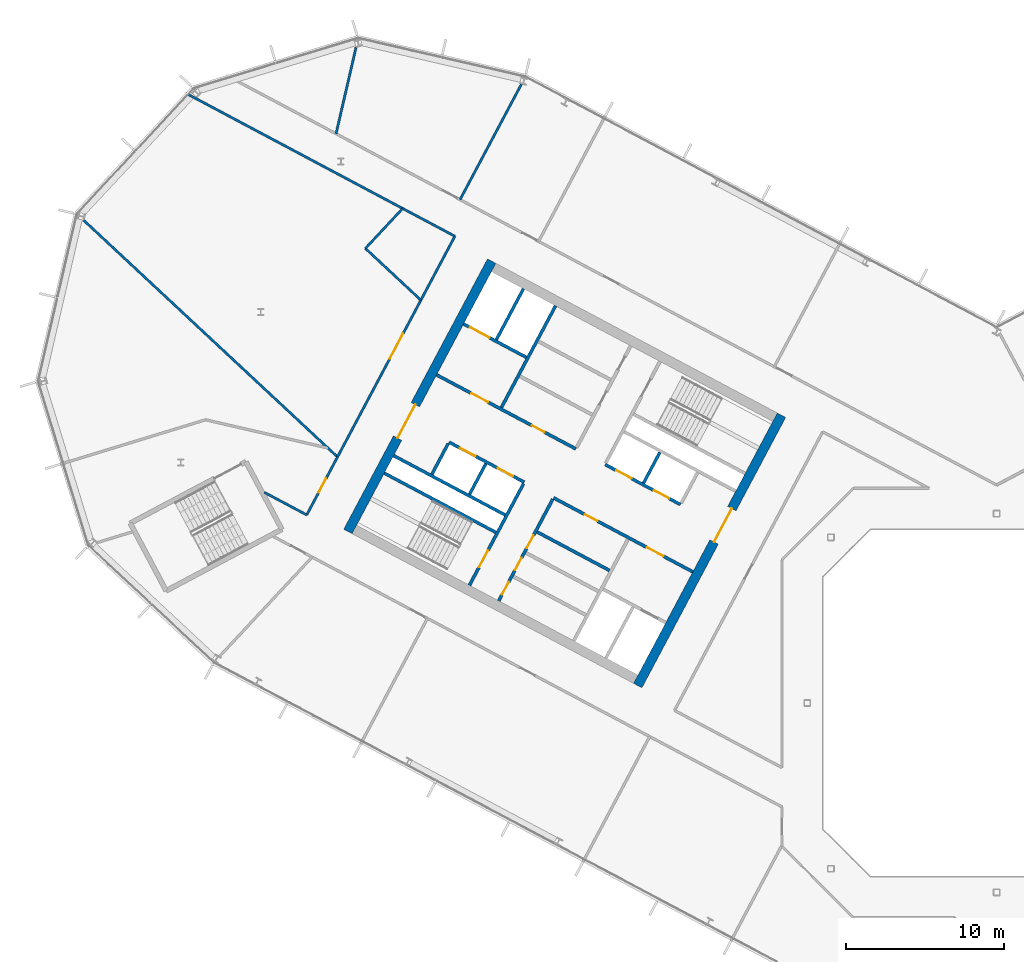
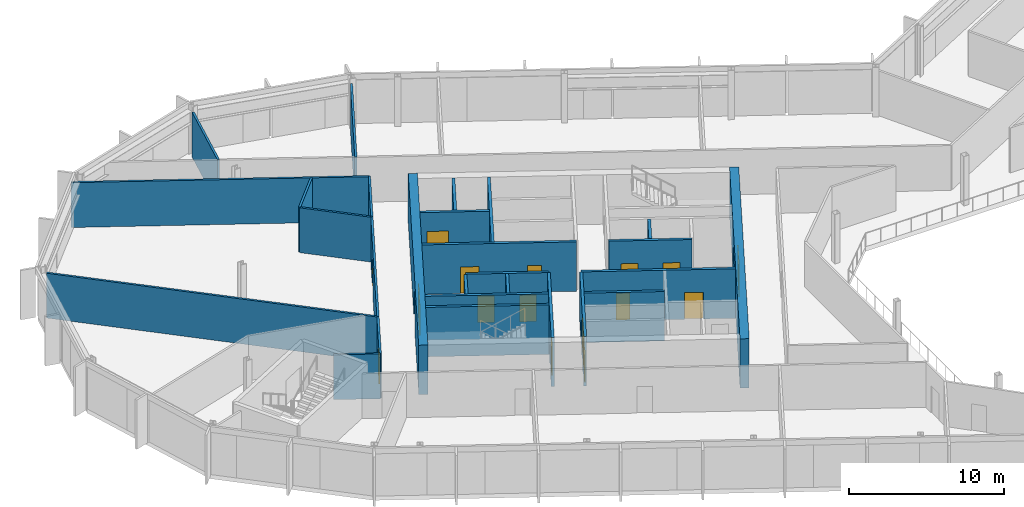
# One storey, part 13 of 26: 26 walls, 17 doors, 17 openings.
"""IFC4 building model written with IfcOpenShell, lengths in metres."""

from ifc_helpers import new_model, si_unit, direction, frame, frame_2d, origin, place, context, subcontext, project, spatial, rectangle, extrude, material, layer, layer_set, type_object, element, fill, save


model = new_model("IFC4")

# Units and contexts
model_context = context("Model", 3, precision=1e-05, world=origin(), true_north=direction((0.0, 1.0)))
body_context = subcontext(model_context, "Body", "Model", "MODEL_VIEW")
ifc_project = project(units=[si_unit("LENGTHUNIT", "METRE"), si_unit("AREAUNIT", "SQUARE_METRE"), si_unit("VOLUMEUNIT", "CUBIC_METRE"), si_unit("PLANEANGLEUNIT", "RADIAN"), si_unit("MASSUNIT", "GRAM", prefix="KILO")], contexts=[model_context])

# Site, building, storey
site_placement = place(None, origin())
site = spatial("IfcSite", under=ifc_project, at=site_placement, CompositionType="ELEMENT")
building_placement = place(site_placement, origin())
building = spatial("IfcBuilding", under=site, at=building_placement, Name="Cormorant Relay Tower", CompositionType="ELEMENT")
storey_placement = place(building_placement, frame((0.0, 0.0, 228.60009765625)))
storey = spatial("IfcBuildingStorey", under=building, at=storey_placement, Name="L50", CompositionType="ELEMENT", Elevation=228.60009765625)

# Walls
ifc_material_1 = material(Name="Concrete 40 MPa", Category="concrete")
ifc_layer_1 = layer(ifc_material_1, 0.199951171875)
ifc_layer_set_1 = layer_set([ifc_layer_1], Name="Core internal wall 200")
wall_type_1 = type_object("IfcWallType", Name="Core internal wall 200", PredefinedType="SOLIDWALL", material=ifc_layer_set_1)
wall_1_placement = place(storey_placement, frame((-21.34375, 15.87890625, 0.0), z_axis=(0.0, 0.0, 1.0), x_axis=(-0.4694473164, -0.882960484464, 0.0)))
element("IfcWall", 1, at=wall_1_placement, inside=storey, type_object=wall_type_1, Name="L50 core A shaft and room wall", PredefinedType="SOLIDWALL", context=body_context, shape_type="SweptSolid", body=[
    extrude(rectangle(XDim=2.199951171875, YDim=0.199951171875, at=frame_2d((1.10009765625, 0.0))), origin(), (0.0, 0.0, 1.0), 3.89990234375),
])
wall_2_placement = place(storey_placement, frame((-32.3662109375, 15.1708984375, 0.0), z_axis=(0.0, 0.0, 1.0), x_axis=(-0.469487830541, -0.882938942948, 0.0)))
element("IfcWall", 2, at=wall_2_placement, inside=storey, type_object=wall_type_1, Name="L50 core A shaft and room wall", PredefinedType="SOLIDWALL", context=body_context, shape_type="SweptSolid", body=[
    extrude(rectangle(XDim=2.2001953125, YDim=0.199951171875, at=frame_2d((1.10009765625, 0.0))), origin(), (0.0, 0.0, 1.0), 3.89990234375),
])

# Wall, openings, doors
ifc_material_2 = material(Name="Concrete 50 MPa", Category="concrete")
ifc_layer_2 = layer(ifc_material_2, 0.199951171875)
ifc_layer_set_2 = layer_set([ifc_layer_2], Name="Core shaft wall 200")
wall_type_2 = type_object("IfcWallType", Name="Core shaft wall 200", PredefinedType="SHEAR", material=ifc_layer_set_2)
wall_3_placement = place(storey_placement, frame((-28.128173828125, 12.91748046875, 0.0), z_axis=(0.0, 0.0, 1.0), x_axis=(-0.469454336211, -0.882956752176, 0.0)))
wall_3 = element("IfcWall", 3, at=wall_3_placement, inside=storey, type_object=wall_type_2, Name="L50 core A shaft wall", PredefinedType="SHEAR", context=body_context, shape_type="SweptSolid", body=[
    extrude(rectangle(XDim=7.300048828125, YDim=0.199951171875, at=frame_2d((3.64990234375, 0.0))), origin(), (0.0, 0.0, 1.0), 3.89990234375),
])
opening_1_placement = place(wall_3_placement, frame((2.60009765625, 0.0, 0.0)))
opening_1 = element("IfcOpeningElement", 4, at=opening_1_placement, cuts=wall_3, Name="Opening CDD-278", PredefinedType="OPENING", context=body_context, shape_type="SweptSolid", body=[
    extrude(rectangle(XDim=0.89990234375, YDim=2.10009765625, at=frame_2d((0.449951171875, 1.050048828125))), frame((0.0, 0.10986328125, 0.0), z_axis=(0.0, -1.0, 0.0), x_axis=(1.0, 0.0, 0.0)), (0.0, 0.0, 1.0), 0.219970703125),
])
opening_2_placement = place(wall_3_placement, frame((4.199951171875, 0.0, 0.0)))
opening_2 = element("IfcOpeningElement", 5, at=opening_2_placement, cuts=wall_3, Name="Opening CDD-279", PredefinedType="OPENING", context=body_context, shape_type="SweptSolid", body=[
    extrude(rectangle(XDim=0.89990234375, YDim=2.10009765625, at=frame_2d((0.449951171875, 1.050048828125))), frame((0.0, 0.10986328125, 0.0), z_axis=(0.0, -1.0, 0.0), x_axis=(1.0, 0.0, 0.0)), (0.0, 0.0, 1.0), 0.219970703125),
])
opening_3_placement = place(wall_3_placement, frame((5.949951171875, 0.0, 0.0)))
opening_3 = element("IfcOpeningElement", 6, at=opening_3_placement, cuts=wall_3, Name="Opening CDD-280", PredefinedType="OPENING", context=body_context, shape_type="SweptSolid", body=[
    extrude(rectangle(XDim=0.89990234375, YDim=2.10009765625, at=frame_2d((0.449951171875, 1.050048828125))), frame((0.0, 0.10986328125, 0.0), z_axis=(0.0, -1.0, 0.0), x_axis=(1.0, 0.0, 0.0)), (0.0, 0.0, 1.0), 0.219970703125),
])
ifc_material_3 = material(Name="Steel fire door", Category="steel")
door_type_1 = type_object("IfcDoorType", Name="Core room door 900x2100", OperationType="SINGLE_SWING_LEFT", PredefinedType="DOOR", material=ifc_material_3)
door_1_placement = place(opening_1_placement, origin())
door_1 = element("IfcDoor", 7, at=door_1_placement, inside=storey, type_object=door_type_1, Name="Core room door 900x2100", OperationType="SINGLE_SWING_LEFT", OverallHeight=2.10009765625, OverallWidth=0.89990234375, PredefinedType="DOOR", context=body_context, shape_type="SweptSolid", body=[
    extrude(rectangle(XDim=0.89990234375, YDim=2.10009765625, at=frame_2d((0.449951171875, 1.050048828125))), frame((0.0, 0.02490234375, 0.0), z_axis=(0.0, -1.0, 0.0), x_axis=(1.0, 0.0, 0.0)), (0.0, 0.0, 1.0), 0.050048828125),
])
fill(opening_1, door_1)
door_2_placement = place(opening_2_placement, origin())
door_2 = element("IfcDoor", 8, at=door_2_placement, inside=storey, type_object=door_type_1, Name="Core room door 900x2100", OperationType="SINGLE_SWING_LEFT", OverallHeight=2.10009765625, OverallWidth=0.89990234375, PredefinedType="DOOR", context=body_context, shape_type="SweptSolid", body=[
    extrude(rectangle(XDim=0.89990234375, YDim=2.10009765625, at=frame_2d((0.449951171875, 1.050048828125))), frame((0.0, 0.02490234375, 0.0), z_axis=(0.0, -1.0, 0.0), x_axis=(1.0, 0.0, 0.0)), (0.0, 0.0, 1.0), 0.050048828125),
])
fill(opening_2, door_2)
door_3_placement = place(opening_3_placement, origin())
door_3 = element("IfcDoor", 9, at=door_3_placement, inside=storey, type_object=door_type_1, Name="Core room door 900x2100", OperationType="SINGLE_SWING_LEFT", OverallHeight=2.10009765625, OverallWidth=0.89990234375, PredefinedType="DOOR", context=body_context, shape_type="SweptSolid", body=[
    extrude(rectangle(XDim=0.89990234375, YDim=2.10009765625, at=frame_2d((0.449951171875, 1.050048828125))), frame((0.0, 0.02490234375, 0.0), z_axis=(0.0, -1.0, 0.0), x_axis=(1.0, 0.0, 0.0)), (0.0, 0.0, 1.0), 0.050048828125),
])
fill(opening_3, door_3)

# Wall, opening, door
wall_4_placement = place(storey_placement, frame((-29.982421875, 13.9033203125, 0.0), z_axis=(0.0, 0.0, 1.0), x_axis=(-0.469454336211, -0.882956752176, 0.0)))
wall_4 = element("IfcWall", 10, at=wall_4_placement, inside=storey, type_object=wall_type_2, Name="L50 core A shaft wall", PredefinedType="SHEAR", context=body_context, shape_type="SweptSolid", body=[
    extrude(rectangle(XDim=7.300048828125, YDim=0.199951171875, at=frame_2d((3.64990234375, 0.0))), origin(), (0.0, 0.0, 1.0), 3.89990234375),
])
opening_4_placement = place(wall_4_placement, frame((4.800048828125, 0.0, 0.0)))
opening_4 = element("IfcOpeningElement", 11, at=opening_4_placement, cuts=wall_4, Name="Opening CDB-039", PredefinedType="OPENING", context=body_context, shape_type="SweptSolid", body=[
    extrude(rectangle(XDim=1.199951171875, YDim=2.10009765625, at=frame_2d((0.60009765625, 1.050048828125))), frame((0.0, 0.10986328125, 0.0), z_axis=(0.0, -1.0, 0.0), x_axis=(1.0, 0.0, 0.0)), (0.0, 0.0, 1.0), 0.219970703125),
])
ifc_material_4 = material(Name="Steel fire door", Category="steel")
door_type_2 = type_object("IfcDoorType", Name="Core stair door 1200x2100", OperationType="SINGLE_SWING_LEFT", PredefinedType="DOOR", material=ifc_material_4)
door_4_placement = place(opening_4_placement, frame((1.199951171875, 0.0, 0.0), z_axis=(0.0, 0.0, 1.0), x_axis=(-1.0, 0.0, 0.0)))
door_4 = element("IfcDoor", 12, at=door_4_placement, inside=storey, type_object=door_type_2, Name="Core stair door 1200x2100", OperationType="SINGLE_SWING_RIGHT", OverallHeight=2.10009765625, OverallWidth=1.199951171875, PredefinedType="DOOR", context=body_context, shape_type="SweptSolid", body=[
    extrude(rectangle(XDim=1.199951171875, YDim=2.10009765625, at=frame_2d((0.60009765625, 1.050048828125))), frame((0.0, 0.02490234375, 0.0), z_axis=(0.0, -1.0, 0.0), x_axis=(1.0, 0.0, 0.0)), (0.0, 0.0, 1.0), 0.050048828125),
])
fill(opening_4, door_4)

# Walls
wall_5_placement = place(storey_placement, frame((-27.955322265625, 25.170654296875, 0.0), z_axis=(0.0, 0.0, 1.0), x_axis=(-0.469480409012, -0.88294288918, 0.0)))
element("IfcWall", 13, at=wall_5_placement, inside=storey, type_object=wall_type_2, Name="L50 core A shaft wall", PredefinedType="SHEAR", context=body_context, shape_type="SweptSolid", body=[
    extrude(rectangle(XDim=7.300048828125, YDim=0.199951171875, at=frame_2d((3.64990234375, 0.0))), origin(), (0.0, 0.0, 1.0), 3.89990234375),
])
wall_6_placement = place(storey_placement, frame((-34.750244140625, 16.4384765625, 0.0), z_axis=(0.0, 0.0, 1.0), x_axis=(-0.469401318492, -0.882984938828, 0.0)))
element("IfcWall", 14, at=wall_6_placement, inside=storey, type_object=wall_type_2, Name="L50 core A shaft wall", PredefinedType="SHEAR", context=body_context, shape_type="SweptSolid", body=[
    extrude(rectangle(XDim=2.199951171875, YDim=0.199951171875, at=frame_2d((1.10009765625, 0.0))), origin(), (0.0, 0.0, 1.0), 3.89990234375),
])
wall_7_placement = place(storey_placement, frame((-29.986083984375, 26.250244140625, 0.0), z_axis=(0.0, 0.0, 1.0), x_axis=(-0.469494272526, -0.882935517501, 0.0)))
element("IfcWall", 15, at=wall_7_placement, inside=storey, type_object=wall_type_2, Name="L50 core A shaft wall", PredefinedType="SHEAR", context=body_context, shape_type="SweptSolid", body=[
    extrude(rectangle(XDim=3.64990234375, YDim=0.199951171875, at=frame_2d((1.824951171875, 0.0))), origin(), (0.0, 0.0, 1.0), 3.89990234375),
])

# Wall, opening, door
wall_8_placement = place(storey_placement, frame((-29.80419921875, 21.906494140625, 0.0), z_axis=(0.0, 0.0, 1.0), x_axis=(-0.882960433586, 0.469447412093, 0.0)))
wall_8 = element("IfcWall", 16, at=wall_8_placement, inside=storey, type_object=wall_type_2, Name="L50 core A shaft wall", PredefinedType="SHEAR", context=body_context, shape_type="SweptSolid", body=[
    extrude(rectangle(XDim=4.5, YDim=0.199951171875, at=frame_2d((2.25, 0.0))), origin(), (0.0, 0.0, 1.0), 3.89990234375),
])
opening_5_placement = place(wall_8_placement, frame((2.64990234375, 0.0, 0.0)))
opening_5 = element("IfcOpeningElement", 17, at=opening_5_placement, cuts=wall_8, Name="Opening LD3-015", PredefinedType="OPENING", context=body_context, shape_type="SweptSolid", body=[
    extrude(rectangle(XDim=1.39990234375, YDim=2.39990234375, at=frame_2d((0.699951171875, 1.199951171875))), frame((0.0, 0.10986328125, 0.0), z_axis=(0.0, -1.0, 0.0), x_axis=(1.0, 0.0, 0.0)), (0.0, 0.0, 1.0), 0.219970703125),
])
ifc_material_5 = material(Name="Stainless steel 316", Category="steel")
door_type_3 = type_object("IfcDoorType", Name="Lift landing door 1400x2400", OperationType="DOUBLE_DOOR_SLIDING", PredefinedType="DOOR", material=ifc_material_5)
door_5_placement = place(opening_5_placement, origin())
door_5 = element("IfcDoor", 18, at=door_5_placement, inside=storey, type_object=door_type_3, Name="SV1 landing door", OperationType="DOUBLE_DOOR_SLIDING", OverallHeight=2.39990234375, OverallWidth=1.39990234375, PredefinedType="DOOR", context=body_context, shape_type="SweptSolid", body=[
    extrude(rectangle(XDim=1.39990234375, YDim=2.39990234375, at=frame_2d((0.699951171875, 1.199951171875))), frame((0.0, 0.02490234375, 0.0), z_axis=(0.0, -1.0, 0.0), x_axis=(1.0, 0.0, 0.0)), (0.0, 0.0, 1.0), 0.050048828125),
])
fill(opening_5, door_5)

# Wall, openings, doors
wall_9_placement = place(storey_placement, frame((-20.03955078125, 12.58056640625, 0.0), z_axis=(0.0, 0.0, 1.0), x_axis=(-0.882942972946, 0.469480251476, 0.0)))
wall_9 = element("IfcWall", 19, at=wall_9_placement, inside=storey, type_object=wall_type_2, Name="L50 core A shaft wall", PredefinedType="SHEAR", context=body_context, shape_type="SweptSolid", body=[
    extrude(rectangle(XDim=5.39990234375, YDim=0.199951171875, at=frame_2d((2.699951171875, 0.0))), origin(), (0.0, 0.0, 1.0), 3.89990234375),
])
opening_6_placement = place(wall_9_placement, frame((0.800048828125, 0.0, 0.0)))
opening_6 = element("IfcOpeningElement", 20, at=opening_6_placement, cuts=wall_9, Name="Opening LD1-061", PredefinedType="OPENING", context=body_context, shape_type="SweptSolid", body=[
    extrude(rectangle(XDim=1.10009765625, YDim=2.10009765625, at=frame_2d((0.550048828125, 1.050048828125))), frame((0.0, 0.10986328125, 0.0), z_axis=(0.0, -1.0, 0.0), x_axis=(1.0, 0.0, 0.0)), (0.0, 0.0, 1.0), 0.219970703125),
])
opening_7_placement = place(wall_9_placement, frame((3.5, 0.0, 0.0)))
opening_7 = element("IfcOpeningElement", 21, at=opening_7_placement, cuts=wall_9, Name="Opening LD1-062", PredefinedType="OPENING", context=body_context, shape_type="SweptSolid", body=[
    extrude(rectangle(XDim=1.10009765625, YDim=2.10009765625, at=frame_2d((0.550048828125, 1.050048828125))), frame((0.0, 0.10986328125, 0.0), z_axis=(0.0, -1.0, 0.0), x_axis=(1.0, 0.0, 0.0)), (0.0, 0.0, 1.0), 0.219970703125),
])
ifc_material_6 = material(Name="Stainless steel 316", Category="steel")
door_type_4 = type_object("IfcDoorType", Name="Lift landing door 1100x2100", OperationType="DOUBLE_DOOR_SLIDING", PredefinedType="DOOR", material=ifc_material_6)
door_6_placement = place(opening_6_placement, origin())
door_6 = element("IfcDoor", 22, at=door_6_placement, inside=storey, type_object=door_type_4, Name="MR3 landing door", OperationType="DOUBLE_DOOR_SLIDING", OverallHeight=2.10009765625, OverallWidth=1.10009765625, PredefinedType="DOOR", context=body_context, shape_type="SweptSolid", body=[
    extrude(rectangle(XDim=1.10009765625, YDim=2.10009765625, at=frame_2d((0.550048828125, 1.050048828125))), frame((0.0, 0.02490234375, 0.0), z_axis=(0.0, -1.0, 0.0), x_axis=(1.0, 0.0, 0.0)), (0.0, 0.0, 1.0), 0.050048828125),
])
fill(opening_6, door_6)
door_7_placement = place(opening_7_placement, origin())
door_7 = element("IfcDoor", 23, at=door_7_placement, inside=storey, type_object=door_type_4, Name="MR4 landing door", OperationType="DOUBLE_DOOR_SLIDING", OverallHeight=2.10009765625, OverallWidth=1.10009765625, PredefinedType="DOOR", context=body_context, shape_type="SweptSolid", body=[
    extrude(rectangle(XDim=1.10009765625, YDim=2.10009765625, at=frame_2d((0.550048828125, 1.050048828125))), frame((0.0, 0.02490234375, 0.0), z_axis=(0.0, -1.0, 0.0), x_axis=(1.0, 0.0, 0.0)), (0.0, 0.0, 1.0), 0.050048828125),
])
fill(opening_7, door_7)

wall_10_placement = place(storey_placement, frame((-26.66162109375, 16.1015625, 0.0), z_axis=(0.0, 0.0, 1.0), x_axis=(-0.882940221191, 0.469485426614, 0.0)))
wall_10 = element("IfcWall", 24, at=wall_10_placement, inside=storey, type_object=wall_type_2, Name="L50 core A shaft wall", PredefinedType="SHEAR", context=body_context, shape_type="SweptSolid", body=[
    extrude(rectangle(XDim=10.0, YDim=0.199951171875, at=frame_2d((5.0, 0.0))), origin(), (0.0, 0.0, 1.0), 3.89990234375),
])
opening_8_placement = place(wall_10_placement, frame((6.300048828125, 0.0, 0.0)))
opening_8 = element("IfcOpeningElement", 25, at=opening_8_placement, cuts=wall_10, Name="Opening CDC-034", PredefinedType="OPENING", context=body_context, shape_type="SweptSolid", body=[
    extrude(rectangle(XDim=1.199951171875, YDim=2.10009765625, at=frame_2d((0.60009765625, 1.050048828125))), frame((0.0, 0.10986328125, 0.0), z_axis=(0.0, -1.0, 0.0), x_axis=(1.0, 0.0, 0.0)), (0.0, 0.0, 1.0), 0.219970703125),
])
opening_9_placement = place(wall_10_placement, frame((2.25, 0.0, 0.0)))
opening_9 = element("IfcOpeningElement", 26, at=opening_9_placement, cuts=wall_10, Name="Opening CDD-255", PredefinedType="OPENING", context=body_context, shape_type="SweptSolid", body=[
    extrude(rectangle(XDim=0.89990234375, YDim=2.10009765625, at=frame_2d((0.449951171875, 1.050048828125))), frame((0.0, 0.10986328125, 0.0), z_axis=(0.0, -1.0, 0.0), x_axis=(1.0, 0.0, 0.0)), (0.0, 0.0, 1.0), 0.219970703125),
])
ifc_material_7 = material(Name="Steel fire door", Category="steel")
door_type_5 = type_object("IfcDoorType", Name="Core lobby door 1200x2100", OperationType="SINGLE_SWING_LEFT", PredefinedType="DOOR", material=ifc_material_7)
door_8_placement = place(opening_8_placement, origin())
door_8 = element("IfcDoor", 27, at=door_8_placement, inside=storey, type_object=door_type_5, Name="Core lobby door 1200x2100", OperationType="SINGLE_SWING_LEFT", OverallHeight=2.10009765625, OverallWidth=1.199951171875, PredefinedType="DOOR", context=body_context, shape_type="SweptSolid", body=[
    extrude(rectangle(XDim=1.199951171875, YDim=2.10009765625, at=frame_2d((0.60009765625, 1.050048828125))), frame((0.0, 0.02490234375, 0.0), z_axis=(0.0, -1.0, 0.0), x_axis=(1.0, 0.0, 0.0)), (0.0, 0.0, 1.0), 0.050048828125),
])
fill(opening_8, door_8)
door_9_placement = place(opening_9_placement, origin())
door_9 = element("IfcDoor", 28, at=door_9_placement, inside=storey, type_object=door_type_1, Name="Core room door 900x2100", OperationType="SINGLE_SWING_LEFT", OverallHeight=2.10009765625, OverallWidth=0.89990234375, PredefinedType="DOOR", context=body_context, shape_type="SweptSolid", body=[
    extrude(rectangle(XDim=0.89990234375, YDim=2.10009765625, at=frame_2d((0.449951171875, 1.050048828125))), frame((0.0, 0.02490234375, 0.0), z_axis=(0.0, -1.0, 0.0), x_axis=(1.0, 0.0, 0.0)), (0.0, 0.0, 1.0), 0.050048828125),
])
fill(opening_9, door_9)

wall_11_placement = place(storey_placement, frame((-19.251708984375, 8.31103515625, 0.0), z_axis=(0.0, 0.0, 1.0), x_axis=(-0.882955722218, 0.469456273365, 0.0)))
wall_11 = element("IfcWall", 29, at=wall_11_placement, inside=storey, type_object=wall_type_2, Name="L50 core A shaft wall", PredefinedType="SHEAR", context=body_context, shape_type="SweptSolid", body=[
    extrude(rectangle(XDim=10.0, YDim=0.199951171875, at=frame_2d((5.0, 0.0))), origin(), (0.0, 0.0, 1.0), 3.89990234375),
])
opening_10_placement = place(wall_11_placement, frame((2.10009765625, 0.0, 0.0)))
opening_10 = element("IfcOpeningElement", 30, at=opening_10_placement, cuts=wall_11, Name="Opening CDC-033", PredefinedType="OPENING", context=body_context, shape_type="SweptSolid", body=[
    extrude(rectangle(XDim=1.199951171875, YDim=2.10009765625, at=frame_2d((0.60009765625, 1.050048828125))), frame((0.0, 0.10986328125, 0.0), z_axis=(0.0, -1.0, 0.0), x_axis=(1.0, 0.0, 0.0)), (0.0, 0.0, 1.0), 0.219970703125),
])
opening_11_placement = place(wall_11_placement, frame((6.85009765625, 0.0, 0.0)))
opening_11 = element("IfcOpeningElement", 31, at=opening_11_placement, cuts=wall_11, Name="Opening CDD-254", PredefinedType="OPENING", context=body_context, shape_type="SweptSolid", body=[
    extrude(rectangle(XDim=0.89990234375, YDim=2.10009765625, at=frame_2d((0.449951171875, 1.050048828125))), frame((0.0, 0.10986328125, 0.0), z_axis=(0.0, -1.0, 0.0), x_axis=(1.0, 0.0, 0.0)), (0.0, 0.0, 1.0), 0.219970703125),
])
door_10_placement = place(opening_10_placement, origin())
door_10 = element("IfcDoor", 32, at=door_10_placement, inside=storey, type_object=door_type_5, Name="Core lobby door 1200x2100", OperationType="SINGLE_SWING_RIGHT", OverallHeight=2.10009765625, OverallWidth=1.199951171875, PredefinedType="DOOR", context=body_context, shape_type="SweptSolid", body=[
    extrude(rectangle(XDim=1.199951171875, YDim=2.10009765625, at=frame_2d((0.60009765625, 1.050048828125))), frame((0.0, 0.02490234375, 0.0), z_axis=(0.0, -1.0, 0.0), x_axis=(1.0, 0.0, 0.0)), (0.0, 0.0, 1.0), 0.050048828125),
])
fill(opening_10, door_10)
door_11_placement = place(opening_11_placement, origin())
door_11 = element("IfcDoor", 33, at=door_11_placement, inside=storey, type_object=door_type_1, Name="Core room door 900x2100", OperationType="SINGLE_SWING_LEFT", OverallHeight=2.10009765625, OverallWidth=0.89990234375, PredefinedType="DOOR", context=body_context, shape_type="SweptSolid", body=[
    extrude(rectangle(XDim=0.89990234375, YDim=2.10009765625, at=frame_2d((0.449951171875, 1.050048828125))), frame((0.0, 0.02490234375, 0.0), z_axis=(0.0, -1.0, 0.0), x_axis=(1.0, 0.0, 0.0)), (0.0, 0.0, 1.0), 0.050048828125),
])
fill(opening_11, door_11)

wall_12_placement = place(storey_placement, frame((-29.935302734375, 13.991455078125, 0.0), z_axis=(0.0, 0.0, 1.0), x_axis=(-0.882952937579, 0.469461510692, 0.0)))
wall_12 = element("IfcWall", 34, at=wall_12_placement, inside=storey, type_object=wall_type_2, Name="L50 core A shaft wall", PredefinedType="SHEAR", context=body_context, shape_type="SweptSolid", body=[
    extrude(rectangle(XDim=5.400146484375, YDim=0.199951171875, at=frame_2d((2.7001953125, 0.0))), origin(), (0.0, 0.0, 1.0), 3.89990234375),
])
opening_12_placement = place(wall_12_placement, frame((0.800048828125, 0.0, 0.0)))
opening_12 = element("IfcOpeningElement", 35, at=opening_12_placement, cuts=wall_12, Name="Opening LD1-059", PredefinedType="OPENING", context=body_context, shape_type="SweptSolid", body=[
    extrude(rectangle(XDim=1.10009765625, YDim=2.10009765625, at=frame_2d((0.550048828125, 1.050048828125))), frame((0.0, 0.10986328125, 0.0), z_axis=(0.0, -1.0, 0.0), x_axis=(1.0, 0.0, 0.0)), (0.0, 0.0, 1.0), 0.219970703125),
])
opening_13_placement = place(wall_12_placement, frame((3.5, 0.0, 0.0)))
opening_13 = element("IfcOpeningElement", 36, at=opening_13_placement, cuts=wall_12, Name="Opening LD1-060", PredefinedType="OPENING", context=body_context, shape_type="SweptSolid", body=[
    extrude(rectangle(XDim=1.10009765625, YDim=2.10009765625, at=frame_2d((0.550048828125, 1.050048828125))), frame((0.0, 0.10986328125, 0.0), z_axis=(0.0, -1.0, 0.0), x_axis=(1.0, 0.0, 0.0)), (0.0, 0.0, 1.0), 0.219970703125),
])
door_12_placement = place(opening_12_placement, origin())
door_12 = element("IfcDoor", 37, at=door_12_placement, inside=storey, type_object=door_type_4, Name="MR1 landing door", OperationType="DOUBLE_DOOR_SLIDING", OverallHeight=2.10009765625, OverallWidth=1.10009765625, PredefinedType="DOOR", context=body_context, shape_type="SweptSolid", body=[
    extrude(rectangle(XDim=1.10009765625, YDim=2.10009765625, at=frame_2d((0.550048828125, 1.050048828125))), frame((0.0, 0.02490234375, 0.0), z_axis=(0.0, -1.0, 0.0), x_axis=(1.0, 0.0, 0.0)), (0.0, 0.0, 1.0), 0.050048828125),
])
fill(opening_12, door_12)
door_13_placement = place(opening_13_placement, origin())
door_13 = element("IfcDoor", 38, at=door_13_placement, inside=storey, type_object=door_type_4, Name="MR2 landing door", OperationType="DOUBLE_DOOR_SLIDING", OverallHeight=2.10009765625, OverallWidth=1.10009765625, PredefinedType="DOOR", context=body_context, shape_type="SweptSolid", body=[
    extrude(rectangle(XDim=1.10009765625, YDim=2.10009765625, at=frame_2d((0.550048828125, 1.050048828125))), frame((0.0, 0.02490234375, 0.0), z_axis=(0.0, -1.0, 0.0), x_axis=(1.0, 0.0, 0.0)), (0.0, 0.0, 1.0), 0.050048828125),
])
fill(opening_13, door_13)

# Walls
wall_13_placement = place(storey_placement, frame((-24.5283203125, 8.3984375, 0.0), z_axis=(0.0, 0.0, 1.0), x_axis=(-0.882953967957, 0.469459572775, 0.0)))
element("IfcWall", 39, at=wall_13_placement, inside=storey, type_object=wall_type_2, Name="L50 core A shaft wall", PredefinedType="SHEAR", context=body_context, shape_type="SweptSolid", body=[
    extrude(rectangle(XDim=5.199951171875, YDim=0.199951171875, at=frame_2d((2.60009765625, 0.0))), origin(), (0.0, 0.0, 1.0), 3.89990234375),
])
for number, where, z_axis, x_axis, name in (
    (40, (-31.150390625, 11.91943359375, 0.0), (0.0, 0.0, 1.0), (-0.882940221191, 0.469485426614, 0.0), "L50 core A shaft wall"),
    (41, (-31.7373046875, 10.815673828125, 0.0), (0.0, 0.0, 1.0), (-0.882940221191, 0.469485426614, 0.0), "L50 core A shaft wall"),
):
    element("IfcWall", number, at=place(storey_placement, frame(where, z_axis=z_axis, x_axis=x_axis)), inside=storey, type_object=wall_type_2, Name=name, PredefinedType="SHEAR", context=body_context, shape_type="SweptSolid", body=[
        extrude(rectangle(XDim=8.0, YDim=0.199951171875, at=frame_2d((4.0, 0.0))), origin(), (0.0, 0.0, 1.0), 3.89990234375),
    ])

# Wall, opening, door
ifc_material_8 = material(Name="Concrete 50 MPa", Category="concrete")
ifc_layer_3 = layer(ifc_material_8, 0.60009765625)
ifc_layer_set_3 = layer_set([ifc_layer_3], Name="Core wall 600")
wall_type_3 = type_object("IfcWallType", Name="Core wall 600", PredefinedType="SHEAR", material=ifc_layer_set_3)
wall_14_placement = place(storey_placement, frame((-13.634765625, 18.235595703125, 0.0), z_axis=(0.0, 0.0, 1.0), x_axis=(-0.469478769487, -0.88294376095, 0.0)))
wall_14 = element("IfcWall", 42, at=wall_14_placement, inside=storey, type_object=wall_type_3, Name="L50 core A wall", PredefinedType="SHEAR", context=body_context, shape_type="SweptSolid", body=[
    extrude(rectangle(XDim=19.400146484375, YDim=0.60009765625, at=frame_2d((9.7001953125, 0.0))), origin(), (0.0, 0.0, 1.0), 3.89990234375),
])
opening_14_placement = place(wall_14_placement, frame((6.699951171875, 0.0, 0.0)))
opening_14 = element("IfcOpeningElement", 43, at=opening_14_placement, cuts=wall_14, Name="Opening CDA-045", PredefinedType="OPENING", context=body_context, shape_type="SweptSolid", body=[
    extrude(rectangle(XDim=2.39990234375, YDim=2.39990234375, at=frame_2d((1.199951171875, 1.199951171875))), frame((0.0, 0.31005859375, 0.0), z_axis=(0.0, -1.0, 0.0), x_axis=(1.0, 0.0, 0.0)), (0.0, 0.0, 1.0), 0.6201171875),
])
ifc_material_9 = material(Name="Steel fire door", Category="steel")
door_type_6 = type_object("IfcDoorType", Name="Core lobby door 2400x2400", OperationType="DOUBLE_DOOR_SINGLE_SWING", PredefinedType="DOOR", material=ifc_material_9)
door_14_placement = place(opening_14_placement, origin())
door_14 = element("IfcDoor", 44, at=door_14_placement, inside=storey, type_object=door_type_6, Name="Core lobby door 2400x2400", OperationType="DOUBLE_DOOR_SINGLE_SWING", OverallHeight=2.39990234375, OverallWidth=2.39990234375, PredefinedType="DOOR", context=body_context, shape_type="SweptSolid", body=[
    extrude(rectangle(XDim=2.39990234375, YDim=2.39990234375, at=frame_2d((1.199951171875, 1.199951171875))), frame((0.0, 0.02490234375, 0.0), z_axis=(0.0, -1.0, 0.0), x_axis=(1.0, 0.0, 0.0)), (0.0, 0.0, 1.0), 0.050048828125),
])
fill(opening_14, door_14)

wall_15_placement = place(storey_placement, frame((-32.000244140625, 28.000732421875, 0.0), z_axis=(0.0, 0.0, 1.0), x_axis=(-0.469468958625, -0.882948977511, 0.0)))
wall_15 = element("IfcWall", 45, at=wall_15_placement, inside=storey, type_object=wall_type_3, Name="L50 core A wall", PredefinedType="SHEAR", context=body_context, shape_type="SweptSolid", body=[
    extrude(rectangle(XDim=19.39990234375, YDim=0.60009765625, at=frame_2d((9.699951171875, 0.0))), origin(), (0.0, 0.0, 1.0), 3.89990234375),
])
opening_15_placement = place(wall_15_placement, frame((10.300048828125, 0.0, 0.0)))
opening_15 = element("IfcOpeningElement", 46, at=opening_15_placement, cuts=wall_15, Name="Opening CDA-041", PredefinedType="OPENING", context=body_context, shape_type="SweptSolid", body=[
    extrude(rectangle(XDim=2.39990234375, YDim=2.39990234375, at=frame_2d((1.199951171875, 1.199951171875))), frame((0.0, 0.31005859375, 0.0), z_axis=(0.0, -1.0, 0.0), x_axis=(1.0, 0.0, 0.0)), (0.0, 0.0, 1.0), 0.6201171875),
])
door_15_placement = place(opening_15_placement, origin())
door_15 = element("IfcDoor", 47, at=door_15_placement, inside=storey, type_object=door_type_6, Name="Core lobby door 2400x2400", OperationType="DOUBLE_DOOR_SINGLE_SWING", OverallHeight=2.39990234375, OverallWidth=2.39990234375, PredefinedType="DOOR", context=body_context, shape_type="SweptSolid", body=[
    extrude(rectangle(XDim=2.39990234375, YDim=2.39990234375, at=frame_2d((1.199951171875, 1.199951171875))), frame((0.0, 0.02490234375, 0.0), z_axis=(0.0, -1.0, 0.0), x_axis=(1.0, 0.0, 0.0)), (0.0, 0.0, 1.0), 0.050048828125),
])
fill(opening_15, door_15)

ifc_material_10 = material(Name="Gypsum board fire partition")
ifc_layer_4 = layer(ifc_material_10, 0.14990234375)
ifc_layer_set_4 = layer_set([ifc_layer_4], Name="Corridor partition 150 EI 60")
wall_type_4 = type_object("IfcWallType", Name="Corridor partition 150 EI 60", PredefinedType="PARTITIONING", material=ifc_layer_set_4)
wall_16_placement = place(storey_placement, frame((-41.76904296875, 15.592041015625, 0.0), z_axis=(0.0, 0.0, 1.0), x_axis=(0.469444027343, 0.882962233163, 0.0)))
wall_16 = element("IfcWall", 48, at=wall_16_placement, inside=storey, type_object=wall_type_4, Name="wall/L50/part/007", PredefinedType="PARTITIONING", context=body_context, shape_type="SweptSolid", body=[
    extrude(rectangle(XDim=15.84228515625, YDim=0.14990234375, at=frame_2d((7.921142578125, 0.0))), origin(), (0.0, 0.0, 1.0), 3.539794921875),
])
opening_16_placement = place(wall_16_placement, frame((7.050048828125, 0.0, 0.0)))
opening_16 = element("IfcOpeningElement", 49, at=opening_16_placement, cuts=wall_16, Name="Opening DD-028", PredefinedType="OPENING", context=body_context, shape_type="SweptSolid", body=[
    extrude(rectangle(XDim=1.800048828125, YDim=2.10009765625, at=frame_2d((0.89990234375, 1.050048828125))), frame((0.0, 0.0849609375, 0.0), z_axis=(0.0, -1.0, 0.0), x_axis=(1.0, 0.0, 0.0)), (0.0, 0.0, 1.0), 0.169921875),
])
ifc_material_11 = material(Name="Timber door leaf", Category="wood")
door_type_7 = type_object("IfcDoorType", Name="Suite double door 1800x2100", OperationType="DOUBLE_DOOR_SINGLE_SWING", PredefinedType="DOOR", material=ifc_material_11)
door_16_placement = place(opening_16_placement, origin())
door_16 = element("IfcDoor", 50, at=door_16_placement, inside=storey, type_object=door_type_7, Name="door/L50/005", OperationType="DOUBLE_DOOR_SINGLE_SWING", OverallHeight=2.10009765625, OverallWidth=1.800048828125, PredefinedType="DOOR", context=body_context, shape_type="SweptSolid", body=[
    extrude(rectangle(XDim=1.800048828125, YDim=2.10009765625, at=frame_2d((0.89990234375, 1.050048828125))), frame((0.0, 0.02490234375, 0.0), z_axis=(0.0, -1.0, 0.0), x_axis=(1.0, 0.0, 0.0)), (0.0, 0.0, 1.0), 0.050048828125),
])
fill(opening_16, door_16)

# Walls
wall_17_placement = place(storey_placement, frame((-34.33203125, 29.580078125, 0.0), z_axis=(0.0, 0.0, 1.0), x_axis=(-0.882939350293, 0.46948706447, 0.0)))
element("IfcWall", 51, at=wall_17_placement, inside=storey, type_object=wall_type_4, Name="wall/L50/part/008", PredefinedType="PARTITIONING", context=body_context, shape_type="SweptSolid", body=[
    extrude(rectangle(XDim=19.327392578125, YDim=0.14990234375, at=frame_2d((9.66357421875, 0.0))), origin(), (0.0, 0.0, 1.0), 3.539794921875),
])
wall_18_placement = place(storey_placement, frame((-46.403076171875, 13.346923828125, 0.0), z_axis=(0.0, 0.0, 1.0), x_axis=(0.882959580004, -0.46944901755, 0.0)))
element("IfcWall", 52, at=wall_18_placement, inside=storey, type_object=wall_type_4, Name="wall/L50/part/013", PredefinedType="PARTITIONING", context=body_context, shape_type="SweptSolid", body=[
    extrude(rectangle(XDim=3.03759765625, YDim=0.14990234375, at=frame_2d((1.518798828125, 0.0))), origin(), (0.0, 0.0, 1.0), 3.539794921875),
])

# Wall, opening, door
wall_19_placement = place(storey_placement, frame((-41.76904296875, 15.592041015625, 0.0), z_axis=(0.0, 0.0, 1.0), x_axis=(-0.468884925056, -0.883259263781, 0.0)))
wall_19 = element("IfcWall", 53, at=wall_19_placement, inside=storey, type_object=wall_type_4, Name="wall/L50/part/014", PredefinedType="PARTITIONING", context=body_context, shape_type="SweptSolid", body=[
    extrude(rectangle(XDim=4.160888671875, YDim=0.14990234375, at=frame_2d((2.08056640625, 0.0))), origin(), (0.0, 0.0, 1.0), 3.539794921875),
])
opening_17_placement = place(wall_19_placement, frame((1.550048828125, 0.0, 0.0)))
opening_17 = element("IfcOpeningElement", 54, at=opening_17_placement, cuts=wall_19, Name="Opening DS-127", PredefinedType="OPENING", context=body_context, shape_type="SweptSolid", body=[
    extrude(rectangle(XDim=1.0, YDim=2.10009765625, at=frame_2d((0.5, 1.050048828125))), frame((0.0, 0.0849609375, 0.0), z_axis=(0.0, -1.0, 0.0), x_axis=(1.0, 0.0, 0.0)), (0.0, 0.0, 1.0), 0.169921875),
])
ifc_material_12 = material(Name="Timber door leaf", Category="wood")
door_type_8 = type_object("IfcDoorType", Name="Suite door 1000x2100", OperationType="SINGLE_SWING_LEFT", PredefinedType="DOOR", material=ifc_material_12)
door_17_placement = place(opening_17_placement, frame((1.0, 0.0, 0.0), z_axis=(0.0, 0.0, 1.0), x_axis=(-1.0, 0.0, 0.0)))
door_17 = element("IfcDoor", 55, at=door_17_placement, inside=storey, type_object=door_type_8, Name="door/L50/006", OperationType="SINGLE_SWING_RIGHT", OverallHeight=2.10009765625, OverallWidth=1.0, PredefinedType="DOOR", context=body_context, shape_type="SweptSolid", body=[
    extrude(rectangle(XDim=1.0, YDim=2.10009765625, at=frame_2d((0.5, 1.050048828125))), frame((0.0, 0.02490234375, 0.0), z_axis=(0.0, -1.0, 0.0), x_axis=(1.0, 0.0, 0.0)), (0.0, 0.0, 1.0), 0.050048828125),
])
fill(opening_17, door_17)

# Walls
ifc_material_13 = material(Name="Gypsum board partition")
ifc_layer_5 = layer(ifc_material_13, 0.14990234375)
ifc_layer_set_5 = layer_set([ifc_layer_5], Name="Tenant partition 150")
wall_type_5 = type_object("IfcWallType", Name="Tenant partition 150", PredefinedType="PARTITIONING", material=ifc_layer_set_5)
wall_20_placement = place(storey_placement, frame((-37.639892578125, 31.339111328125, 0.0), z_axis=(0.0, 0.0, 1.0), x_axis=(-0.681983873773, -0.731367210035, 0.0)))
element("IfcWall", 56, at=wall_20_placement, inside=storey, type_object=wall_type_5, Name="wall/L50/part/003", PredefinedType="PARTITIONING", context=body_context, shape_type="SweptSolid", body=[
    extrude(rectangle(XDim=3.460693359375, YDim=0.14990234375, at=frame_2d((1.73046875, 0.0))), origin(), (0.0, 0.0, 1.0), 3.539794921875),
])
wall_21_placement = place(storey_placement, frame((-40.0, 28.80810546875, 0.0), z_axis=(0.0, 0.0, 1.0), x_axis=(0.731313661346, -0.682041295471, 0.0)))
element("IfcWall", 57, at=wall_21_placement, inside=storey, type_object=wall_type_5, Name="wall/L50/part/004", PredefinedType="PARTITIONING", context=body_context, shape_type="SweptSolid", body=[
    extrude(rectangle(XDim=4.80615234375, YDim=0.14990234375, at=frame_2d((2.403076171875, 0.0))), origin(), (0.0, 0.0, 1.0), 3.539794921875),
])
wall_22_placement = place(storey_placement, frame((-41.76904296875, 15.593017578125, 0.0), z_axis=(0.0, 0.0, 1.0), x_axis=(-0.731378467381, 0.681971801067, 0.0)))
element("IfcWall", 58, at=wall_22_placement, inside=storey, type_object=wall_type_5, Name="wall/L50/part/005", PredefinedType="PARTITIONING", context=body_context, shape_type="SweptSolid", body=[
    extrude(rectangle(XDim=21.999267578125, YDim=0.14990234375, at=frame_2d((10.99951171875, 0.0))), origin(), (0.0, 0.0, 1.0), 3.539794921875),
])
wall_23_placement = place(storey_placement, frame((-30.10888671875, 39.22509765625, 0.0), z_axis=(0.0, 0.0, 1.0), x_axis=(-0.469479281405, -0.882943488753, 0.0)))
element("IfcWall", 59, at=wall_23_placement, inside=storey, type_object=wall_type_5, Name="wall/L50/part/017", PredefinedType="PARTITIONING", context=body_context, shape_type="SweptSolid", body=[
    extrude(rectangle(XDim=8.298583984375, YDim=0.14990234375, at=frame_2d((4.1494140625, 0.0))), origin(), (0.0, 0.0, 1.0), 3.539794921875),
])
wall_24_placement = place(storey_placement, frame((-41.860107421875, 36.074951171875, 0.0), z_axis=(0.0, 0.0, 1.0), x_axis=(0.225075040805, 0.974341431946, 0.0)))
element("IfcWall", 60, at=wall_24_placement, inside=storey, type_object=wall_type_5, Name="wall/L50/part/018", PredefinedType="PARTITIONING", context=body_context, shape_type="SweptSolid", body=[
    extrude(rectangle(XDim=5.625244140625, YDim=0.14990234375, at=frame_2d((2.8125, 0.0))), origin(), (0.0, 0.0, 1.0), 3.539794921875),
])

save(model, "model.ifc")
